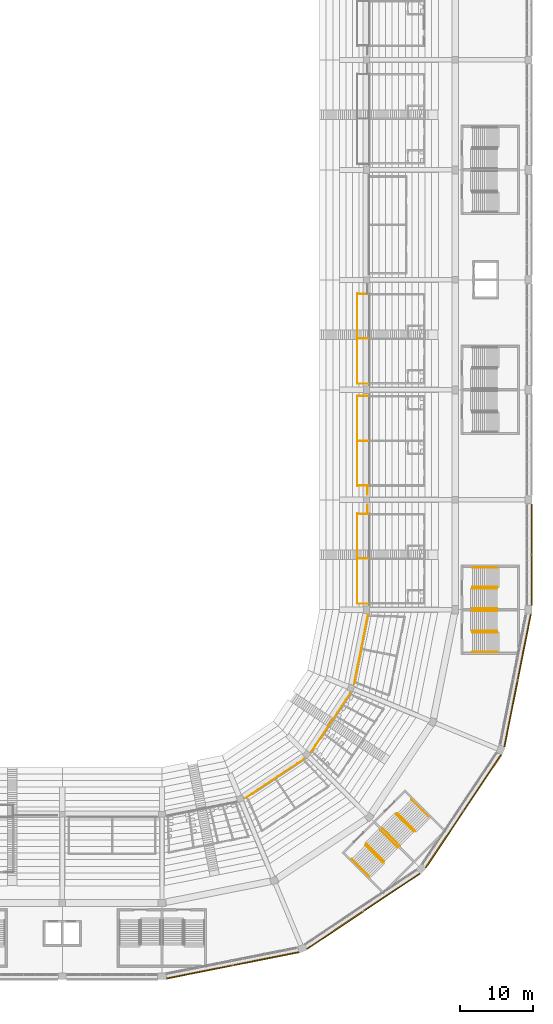
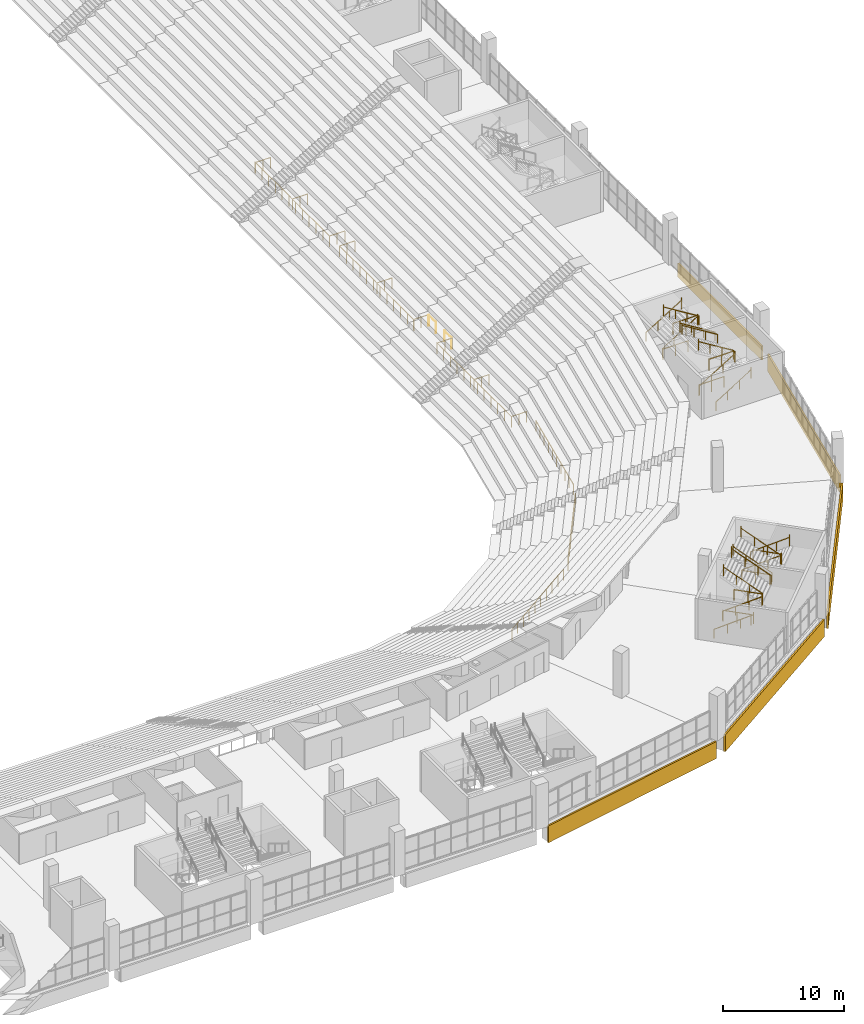
# One storey, part 237 of 249: 41 railings, 5 coverings.
"""IFC4 building model written with IfcOpenShell, lengths in metres."""

import ifcopenshell
import ifcopenshell.guid

model = None  # the IFC model being written
_history = None  # IfcOwnerHistory: only IFC2X3 demands one
_inside = {}  # id of a spatial element -> (the spatial element, [elements in it])
_under = {}  # id of a project, library or spatial element -> (it, [spatial elements below it])
_declared = {}  # id of a project -> (the project, [libraries it declares])
_typed = {}  # id of a type object -> (the type object, [elements of that type])
_made_of = {}  # id of a material, layer set ... -> (it, [elements and type objects made of it])


def new_model(schema):
    """Start an empty IFC model of exactly this schema.

    Asked for "IFC4X3", IfcOpenShell would pick the latest addendum, in which some entities
    have other attributes; the version numbers below select the first issue.
    IFC2X3 requires an IfcOwnerHistory on every rooted entity: one is made here for all.
    """
    global model, _history
    if schema == "IFC4X3":
        model = ifcopenshell.file(schema_version=(4, 3, 0, 0))
    else:
        model = ifcopenshell.file(schema=schema)
    _inside.clear()
    _under.clear()
    _declared.clear()
    _typed.clear()
    _made_of.clear()
    _history = None
    if model.schema == "IFC2X3":
        org = make("IfcOrganization", Name="unknown")
        user = make(
            "IfcPersonAndOrganization",
            ThePerson=make("IfcPerson", FamilyName="unknown"),
            TheOrganization=org,
        )
        app = make(
            "IfcApplication",
            ApplicationDeveloper=org,
            Version="unknown",
            ApplicationFullName="unknown",
            ApplicationIdentifier="unknown",
        )
        _history = make(
            "IfcOwnerHistory",
            OwningUser=user,
            OwningApplication=app,
            ChangeAction="ADDED",
            CreationDate=0,
        )
    return model


def make(cls, **values):
    """One entity of the class cls with the attributes given. An attribute that is None is left unset."""
    return model.create_entity(
        cls, **{name: value for name, value in values.items() if value is not None}
    )


def rooted(cls, **values):
    """An entity with a GlobalId (a new one), such as an element, a storey or a relation."""
    return make(cls, GlobalId=ifcopenshell.guid.new(), OwnerHistory=_history, **values)


def si_unit(unit_type, name, prefix=None):
    """IfcSIUnit, for example si_unit("LENGTHUNIT", "METRE", prefix="MILLI")."""
    return make("IfcSIUnit", UnitType=unit_type, Prefix=prefix, Name=name)


def assignment(units):
    """IfcUnitAssignment: the units of a project."""
    return None if units is None else make("IfcUnitAssignment", Units=units)


def point(xyz):
    """IfcCartesianPoint."""
    return None if xyz is None else make("IfcCartesianPoint", Coordinates=xyz)


def direction(xyz):
    """IfcDirection."""
    return None if xyz is None else make("IfcDirection", DirectionRatios=xyz)


def frame(location, z_axis=None, x_axis=None):
    """IfcAxis2Placement3D, a coordinate frame: its origin and axes. An axis left out is left unset."""
    return make(
        "IfcAxis2Placement3D",
        Location=point(location),
        Axis=direction(z_axis),
        RefDirection=direction(x_axis),
    )


def frame_2d(location, x_axis=None):
    """IfcAxis2Placement2D, a coordinate frame in the plane: its origin and x axis."""
    return make(
        "IfcAxis2Placement2D", Location=point(location), RefDirection=direction(x_axis)
    )


def origin():
    """The frame at (0, 0, 0) with its axes left unset."""
    return frame((0.0, 0.0, 0.0))


def origin_2d():
    """The frame at (0, 0) in the plane with its x axis left unset."""
    return frame_2d((0.0, 0.0))


def place(relative_to, where):
    """IfcLocalPlacement: puts the frame where relative to a parent placement (None: the world)."""
    return make(
        "IfcLocalPlacement", PlacementRelTo=relative_to, RelativePlacement=where
    )


def context(
    kind, dimensions, precision=None, world=None, true_north=None, identifier=None
):
    """IfcGeometricRepresentationContext, for example the 3D "Model" context."""
    return make(
        "IfcGeometricRepresentationContext",
        ContextIdentifier=identifier,
        ContextType=kind,
        CoordinateSpaceDimension=dimensions,
        Precision=precision,
        WorldCoordinateSystem=world,
        TrueNorth=true_north,
    )


def subcontext(parent, identifier, kind, view, scale=None):
    """IfcGeometricRepresentationSubContext, for example "Body" below "Model"."""
    return make(
        "IfcGeometricRepresentationSubContext",
        ContextIdentifier=identifier,
        ContextType=kind,
        ParentContext=parent,
        TargetScale=scale,
        TargetView=view,
    )


def project(units=None, contexts=None):
    """IfcProject with its units and contexts."""
    return rooted(
        "IfcProject",
        Name="project",
        RepresentationContexts=contexts,
        UnitsInContext=assignment(units),
    )


def spatial(cls, under=None, at=None, **own):
    """A site, building, storey or space (cls), placed at a placement, below another one or the project."""
    s = rooted(cls, ObjectPlacement=at, **own)
    if under is not None:
        _under.setdefault(under.id(), (under, []))[1].append(s)
    return s


def polyline(points):
    """IfcPolyline through the points."""
    return make("IfcPolyline", Points=[point(p) for p in points])


def profile(cls, at=None, kind="AREA", **sizes):
    """A parametric profile (cls). Its sizes go by their IFC names, for example OverallWidth=200.0."""
    return make(cls, ProfileType=kind, Position=at, **sizes)


def circle(**sizes):
    """IfcCircleProfileDef."""
    return profile("IfcCircleProfileDef", **sizes)


def outline(outer, holes=None, kind="AREA"):
    """IfcArbitraryClosedProfileDef: a profile drawn as a closed curve; with holes, ...WithVoids."""
    if holes is None:
        return make("IfcArbitraryClosedProfileDef", ProfileType=kind, OuterCurve=outer)
    return make(
        "IfcArbitraryProfileDefWithVoids",
        ProfileType=kind,
        OuterCurve=outer,
        InnerCurves=holes,
    )


def extrude(swept, where, along, depth):
    """IfcExtrudedAreaSolid: the profile swept, set in the frame where, extruded along a direction by depth."""
    return make(
        "IfcExtrudedAreaSolid",
        SweptArea=swept,
        Position=where,
        ExtrudedDirection=direction(along),
        Depth=depth,
    )


def shape(context_of_items, identifier, shape_type, items):
    """IfcShapeRepresentation: the items that make up one representation, for example the "Body"."""
    return make(
        "IfcShapeRepresentation",
        ContextOfItems=context_of_items,
        RepresentationIdentifier=identifier,
        RepresentationType=shape_type,
        Items=items,
    )


def material(Name=None, Category=None):
    """IfcMaterial."""
    return make("IfcMaterial", Name=Name, Category=Category)


def layer(
    of_material, thickness, ventilated=None, Name=None, Category=None, Priority=None
):
    """IfcMaterialLayer: one layer of a wall or slab, of a material (None: an air gap)."""
    return make(
        "IfcMaterialLayer",
        Material=of_material,
        LayerThickness=thickness,
        IsVentilated=ventilated,
        Name=Name,
        Category=Category,
        Priority=Priority,
    )


def layer_set(layers, Name=None):
    """IfcMaterialLayerSet."""
    return make("IfcMaterialLayerSet", MaterialLayers=layers, LayerSetName=Name)


def made_of(thing, what):
    """Note that an element or type object is made of a material, layer set ...; save() writes the relation."""
    if what is not None:
        _made_of.setdefault(what.id(), (what, []))[1].append(thing)
    return thing


def type_object(cls, material=None, **own):
    """A type object (cls), such as IfcWallType, which elements share."""
    return made_of(rooted(cls, **own), material)


def element(
    cls,
    number,
    at=None,
    inside=None,
    cuts=None,
    type_object=None,
    material=None,
    context=None,
    identifier="Body",
    shape_type=None,
    held_by="IfcProductDefinitionShape",
    body=None,
    shapes=None,
    **own,
):
    """One element of the class cls, such as IfcWall. Its Tag is "e" and its number.

    at: its placement. inside: the storey or other place that contains it. cuts: it is an
    opening in that element (IfcRelVoidsElement). A single representation is given by context,
    identifier, shape_type and body (its items); several are given by shapes. held_by: the class
    of the entity that holds the representations. save() writes the other relations.
    """
    e = rooted(cls, Tag="e%d" % number, ObjectPlacement=at, **own)
    if body is not None:
        shapes = [shape(context, identifier, shape_type, body)]
    if shapes is not None:
        e.Representation = make(held_by, Representations=shapes)
    if inside is not None:
        _inside.setdefault(inside.id(), (inside, []))[1].append(e)
    if cuts is not None:
        rooted(
            "IfcRelVoidsElement", RelatingBuildingElement=cuts, RelatedOpeningElement=e
        )
    if type_object is not None:
        _typed.setdefault(type_object.id(), (type_object, []))[1].append(e)
    return made_of(e, material)


def aggregate(whole, parts):
    """IfcRelAggregates: a whole, such as a stair, and the parts it consists of."""
    return rooted("IfcRelAggregates", RelatingObject=whole, RelatedObjects=parts)


def save(model, path):
    """Write the relations noted so far, then the file.

    IfcRelAggregates (storeys below a building ...), IfcRelContainedInSpatialStructure (elements
    in a storey), IfcRelDefinesByType, IfcRelAssociatesMaterial and IfcRelDeclares: one each for
    every whole, place, type object, material and project.
    """
    for whole, parts in _under.values():
        aggregate(whole, parts)
    for where, things in _inside.values():
        rooted(
            "IfcRelContainedInSpatialStructure",
            RelatedElements=things,
            RelatingStructure=where,
        )
    for kind, things in _typed.values():
        rooted("IfcRelDefinesByType", RelatedObjects=things, RelatingType=kind)
    for what, things in _made_of.values():
        rooted("IfcRelAssociatesMaterial", RelatedObjects=things, RelatingMaterial=what)
    for by, libraries in _declared.values():
        rooted("IfcRelDeclares", RelatingContext=by, RelatedDefinitions=libraries)
    model.write(path)


model = new_model("IFC4")

# Units and contexts
model_context = context("Model", 3, precision=1e-05, world=origin(), true_north=direction((0.0, 1.0)))
body_context = subcontext(model_context, "Body", "Model", "MODEL_VIEW")
ifc_project = project(units=[si_unit("LENGTHUNIT", "METRE"), si_unit("AREAUNIT", "SQUARE_METRE"), si_unit("VOLUMEUNIT", "CUBIC_METRE"), si_unit("PLANEANGLEUNIT", "RADIAN"), si_unit("MASSUNIT", "GRAM", prefix="KILO")], contexts=[model_context])

# Site, building, storey
site_placement = place(None, origin())
site = spatial("IfcSite", under=ifc_project, at=site_placement, CompositionType="ELEMENT")
building_placement = place(site_placement, origin())
building = spatial("IfcBuilding", under=site, at=building_placement, Name="Ogive Plaza Stadium", CompositionType="ELEMENT")
storey_placement = place(building_placement, frame((0.0, 0.0, 13.5)))
storey = spatial("IfcBuildingStorey", under=building, at=storey_placement, Name="L03", CompositionType="ELEMENT", Elevation=13.5)

# Railings
ifc_material_1 = material(Name="Steel ASTM A572 Grade 50", Category="steel")
railing_type_1 = type_object("IfcRailingType", Name="Guard 1100", PredefinedType="GUARDRAIL", material=ifc_material_1)
for number, where, name in (
    (1, (76.35009765625, -55.47509765625, 0.0), "Stair well guard ST08A L03"),
    (2, (77.31005859375, -55.47509765625, 2.25), "Stair well guard ST08A L03"),
    (3, (76.35009765625, -49.52490234375, 0.0), "Stair well guard ST08B L03"),
    (4, (77.31005859375, -49.52490234375, 2.25), "Stair well guard ST08B L03"),
):
    element("IfcRailing", number, at=place(storey_placement, frame(where)), inside=storey, type_object=railing_type_1, Name=name, PredefinedType="GUARDRAIL", context=body_context, shape_type="SweptSolid", body=[
        extrude(circle(Radius=0.02392578125, at=origin_2d()), frame((0.0, 0.0, 1.076171875), z_axis=(1.0, 0.0, 0.0), x_axis=(0.0, 1.0, 0.0)), (0.0, 0.0, 1.0), 2.39990234375),
        extrude(circle(Radius=0.02099609375, at=origin_2d()), origin(), (0.0, 0.0, 1.0), 1.052001953125),
        extrude(circle(Radius=0.02099609375, at=origin_2d()), frame((1.199951171875, 0.0, 0.0)), (0.0, 0.0, 1.0), 1.052001953125),
        extrude(circle(Radius=0.02099609375, at=origin_2d()), frame((2.39990234375, 0.0, 0.0)), (0.0, 0.0, 1.0), 1.052001953125),
    ])
for number, where, name in (
    (5, (61.84228515625, -84.549560546875, 0.0), "Stair well guard ST10A L03"),
    (6, (62.521240234375, -85.228515625, 2.25), "Stair well guard ST10A L03"),
    (7, (66.049560546875, -80.34228515625, 0.0), "Stair well guard ST10B L03"),
    (8, (66.728515625, -81.021240234375, 2.25), "Stair well guard ST10B L03"),
):
    element("IfcRailing", number, at=place(storey_placement, frame(where)), inside=storey, type_object=railing_type_1, Name=name, PredefinedType="GUARDRAIL", context=body_context, shape_type="SweptSolid", body=[
        extrude(circle(Radius=0.02392578125, at=origin_2d()), frame((0.0, 0.0, 1.076171875), z_axis=(0.707106781187, -0.707106781187, 0.0), x_axis=(0.707106781187, 0.707106781187, 0.0)), (0.0, 0.0, 1.0), 2.39990234375),
        extrude(circle(Radius=0.02099609375, at=origin_2d()), origin(), (0.0, 0.0, 1.0), 1.052001953125),
        extrude(circle(Radius=0.02099609375, at=origin_2d()), frame((0.8486328125, -0.8486328125, 0.0)), (0.0, 0.0, 1.0), 1.052001953125),
        extrude(circle(Radius=0.02099609375, at=origin_2d()), frame((1.697021484375, -1.697021484375, 0.0)), (0.0, 0.0, 1.0), 1.052001953125),
    ])
railing_1_placement = place(storey_placement, frame((62.113525390625, -53.1865234375, 0.0)))
element("IfcRailing", 9, at=railing_1_placement, inside=storey, type_object=railing_type_1, Name="Guard L03 B08", PredefinedType="GUARDRAIL", context=body_context, shape_type="SweptSolid", body=[
    extrude(circle(Radius=0.02392578125, at=origin_2d()), frame((0.0, 0.0, 1.076171875), z_axis=(-0.195106054289, -0.980782150928, 0.0), x_axis=(0.980782150928, -0.195106054289, 0.0)), (0.0, 0.0, 1.0), 9.62255859375),
    extrude(circle(Radius=0.02099609375, at=origin_2d()), origin(), (0.0, 0.0, 1.0), 1.052001953125),
    extrude(circle(Radius=0.02099609375, at=origin_2d()), frame((-0.20849609375, -1.048583984375, 0.0)), (0.0, 0.0, 1.0), 1.052001953125),
    extrude(circle(Radius=0.02099609375, at=origin_2d()), frame((-0.417236328125, -2.09716796875, 0.0)), (0.0, 0.0, 1.0), 1.052001953125),
    extrude(circle(Radius=0.02099609375, at=origin_2d()), frame((-0.625732421875, -3.14599609375, 0.0)), (0.0, 0.0, 1.0), 1.052001953125),
    extrude(circle(Radius=0.02099609375, at=origin_2d()), frame((-0.83447265625, -4.194580078125, 0.0)), (0.0, 0.0, 1.0), 1.052001953125),
    extrude(circle(Radius=0.02099609375, at=origin_2d()), frame((-1.04296875, -5.2431640625, 0.0)), (0.0, 0.0, 1.0), 1.052001953125),
    extrude(circle(Radius=0.02099609375, at=origin_2d()), frame((-1.251708984375, -6.291748046875, 0.0)), (0.0, 0.0, 1.0), 1.052001953125),
    extrude(circle(Radius=0.02099609375, at=origin_2d()), frame((-1.460205078125, -7.340576171875, 0.0)), (0.0, 0.0, 1.0), 1.052001953125),
    extrude(circle(Radius=0.02099609375, at=origin_2d()), frame((-1.6689453125, -8.38916015625, 0.0)), (0.0, 0.0, 1.0), 1.052001953125),
    extrude(circle(Radius=0.02099609375, at=origin_2d()), frame((-1.87744140625, -9.437744140625, 0.0)), (0.0, 0.0, 1.0), 1.052001953125),
])
railing_2_placement = place(storey_placement, frame((59.710693359375, -63.892822265625, 0.0)))
element("IfcRailing", 10, at=railing_2_placement, inside=storey, type_object=railing_type_1, Name="Guard L03 B09", PredefinedType="GUARDRAIL", context=body_context, shape_type="SweptSolid", body=[
    extrude(circle(Radius=0.02392578125, at=origin_2d()), frame((0.0, 0.0, 1.076171875), z_axis=(-0.555560580114, -0.831476062087, 0.0), x_axis=(0.831476062087, -0.555560580114, 0.0)), (0.0, 0.0, 1.0), 9.62255859375),
    extrude(circle(Radius=0.02099609375, at=origin_2d()), origin(), (0.0, 0.0, 1.0), 1.052001953125),
    extrude(circle(Radius=0.02099609375, at=origin_2d()), frame((-0.593994140625, -0.888916015625, 0.0)), (0.0, 0.0, 1.0), 1.052001953125),
    extrude(circle(Radius=0.02099609375, at=origin_2d()), frame((-1.18798828125, -1.778076171875, 0.0)), (0.0, 0.0, 1.0), 1.052001953125),
    extrude(circle(Radius=0.02099609375, at=origin_2d()), frame((-1.781982421875, -2.6669921875, 0.0)), (0.0, 0.0, 1.0), 1.052001953125),
    extrude(circle(Radius=0.02099609375, at=origin_2d()), frame((-2.3759765625, -3.555908203125, 0.0)), (0.0, 0.0, 1.0), 1.052001953125),
    extrude(circle(Radius=0.02099609375, at=origin_2d()), frame((-2.969970703125, -4.445068359375, 0.0)), (0.0, 0.0, 1.0), 1.052001953125),
    extrude(circle(Radius=0.02099609375, at=origin_2d()), frame((-3.56396484375, -5.333984375, 0.0)), (0.0, 0.0, 1.0), 1.052001953125),
    extrude(circle(Radius=0.02099609375, at=origin_2d()), frame((-4.157958984375, -6.222900390625, 0.0)), (0.0, 0.0, 1.0), 1.052001953125),
    extrude(circle(Radius=0.02099609375, at=origin_2d()), frame((-4.751953125, -7.112060546875, 0.0)), (0.0, 0.0, 1.0), 1.052001953125),
    extrude(circle(Radius=0.02099609375, at=origin_2d()), frame((-5.345947265625, -8.0009765625, 0.0)), (0.0, 0.0, 1.0), 1.052001953125),
])
railing_3_placement = place(storey_placement, frame((53.393798828125, -72.86474609375, 0.0)))
element("IfcRailing", 11, at=railing_3_placement, inside=storey, type_object=railing_type_1, Name="Guard L03 B10", PredefinedType="GUARDRAIL", context=body_context, shape_type="SweptSolid", body=[
    extrude(circle(Radius=0.02392578125, at=origin_2d()), frame((0.0, 0.0, 1.076171875), z_axis=(-0.831476062087, -0.555560580114, 0.0), x_axis=(0.555560580114, -0.831476062087, 0.0)), (0.0, 0.0, 1.0), 9.62255859375),
    extrude(circle(Radius=0.02099609375, at=origin_2d()), origin(), (0.0, 0.0, 1.0), 1.052001953125),
    extrude(circle(Radius=0.02099609375, at=origin_2d()), frame((-0.888916015625, -0.593994140625, 0.0)), (0.0, 0.0, 1.0), 1.052001953125),
    extrude(circle(Radius=0.02099609375, at=origin_2d()), frame((-1.778076171875, -1.18798828125, 0.0)), (0.0, 0.0, 1.0), 1.052001953125),
    extrude(circle(Radius=0.02099609375, at=origin_2d()), frame((-2.6669921875, -1.781982421875, 0.0)), (0.0, 0.0, 1.0), 1.052001953125),
    extrude(circle(Radius=0.02099609375, at=origin_2d()), frame((-3.555908203125, -2.3759765625, 0.0)), (0.0, 0.0, 1.0), 1.052001953125),
    extrude(circle(Radius=0.02099609375, at=origin_2d()), frame((-4.445068359375, -2.969970703125, 0.0)), (0.0, 0.0, 1.0), 1.052001953125),
    extrude(circle(Radius=0.02099609375, at=origin_2d()), frame((-5.333984375, -3.56396484375, 0.0)), (0.0, 0.0, 1.0), 1.052001953125),
    extrude(circle(Radius=0.02099609375, at=origin_2d()), frame((-6.222900390625, -4.157958984375, 0.0)), (0.0, 0.0, 1.0), 1.052001953125),
    extrude(circle(Radius=0.02099609375, at=origin_2d()), frame((-7.112060546875, -4.751953125, 0.0)), (0.0, 0.0, 1.0), 1.052001953125),
    extrude(circle(Radius=0.02099609375, at=origin_2d()), frame((-8.0009765625, -5.345947265625, 0.0)), (0.0, 0.0, 1.0), 1.052001953125),
])
railing_4_placement = place(storey_placement, frame((60.64990234375, -21.675048828125, 0.0)))
element("IfcRailing", 12, at=railing_4_placement, inside=storey, type_object=railing_type_1, Name="Terrace guard B05", PredefinedType="GUARDRAIL", context=body_context, shape_type="SweptSolid", body=[
    extrude(circle(Radius=0.02392578125, at=origin_2d()), frame((0.0, 0.0, 1.076171875), z_axis=(0.0, 1.0, 0.0), x_axis=(-1.0, 0.0, 0.0)), (0.0, 0.0, 1.0), 12.300048828125),
    extrude(circle(Radius=0.02099609375, at=origin_2d()), origin(), (0.0, 0.0, 1.0), 1.052001953125),
    extrude(circle(Radius=0.02099609375, at=origin_2d()), frame((0.0, 1.1181640625, 0.0)), (0.0, 0.0, 1.0), 1.052001953125),
    extrude(circle(Radius=0.02099609375, at=origin_2d()), frame((0.0, 2.236328125, 0.0)), (0.0, 0.0, 1.0), 1.052001953125),
    extrude(circle(Radius=0.02099609375, at=origin_2d()), frame((0.0, 3.3544921875, 0.0)), (0.0, 0.0, 1.0), 1.052001953125),
    extrude(circle(Radius=0.02099609375, at=origin_2d()), frame((0.0, 4.47265625, 0.0)), (0.0, 0.0, 1.0), 1.052001953125),
    extrude(circle(Radius=0.02099609375, at=origin_2d()), frame((0.0, 5.5908203125, 0.0)), (0.0, 0.0, 1.0), 1.052001953125),
    extrude(circle(Radius=0.02099609375, at=origin_2d()), frame((0.0, 6.709228515625, 0.0)), (0.0, 0.0, 1.0), 1.052001953125),
    extrude(circle(Radius=0.02099609375, at=origin_2d()), frame((0.0, 7.827392578125, 0.0)), (0.0, 0.0, 1.0), 1.052001953125),
    extrude(circle(Radius=0.02099609375, at=origin_2d()), frame((0.0, 8.945556640625, 0.0)), (0.0, 0.0, 1.0), 1.052001953125),
    extrude(circle(Radius=0.02099609375, at=origin_2d()), frame((0.0, 10.063720703125, 0.0)), (0.0, 0.0, 1.0), 1.052001953125),
    extrude(circle(Radius=0.02099609375, at=origin_2d()), frame((0.0, 11.181884765625, 0.0)), (0.0, 0.0, 1.0), 1.052001953125),
    extrude(circle(Radius=0.02099609375, at=origin_2d()), frame((0.0, 12.300048828125, 0.0)), (0.0, 0.0, 1.0), 1.052001953125),
])
for number, where, name in (
    (13, (60.64990234375, -21.675048828125, 0.0), "Terrace screen B05"),
    (14, (60.64990234375, -15.52490234375, 0.0), "Terrace screen B05"),
    (15, (60.64990234375, -9.449951171875, 0.0), "Terrace screen B05"),
):
    element("IfcRailing", number, at=place(storey_placement, frame(where)), inside=storey, type_object=railing_type_1, Name=name, PredefinedType="GUARDRAIL", context=body_context, shape_type="SweptSolid", body=[
        extrude(circle(Radius=0.02392578125, at=origin_2d()), frame((0.0, 0.0, 1.076171875), z_axis=(1.0, 0.0, 0.0), x_axis=(0.0, 1.0, 0.0)), (0.0, 0.0, 1.0), 1.4501953125),
        extrude(circle(Radius=0.02099609375, at=origin_2d()), origin(), (0.0, 0.0, 1.0), 1.052001953125),
        extrude(circle(Radius=0.02099609375, at=origin_2d()), frame((0.72509765625, 0.0, 0.0)), (0.0, 0.0, 1.0), 1.052001953125),
        extrude(circle(Radius=0.02099609375, at=origin_2d()), frame((1.4501953125, 0.0, 0.0)), (0.0, 0.0, 1.0), 1.052001953125),
    ])
railing_5_placement = place(storey_placement, frame((60.64990234375, -23.324951171875, 0.0)))
element("IfcRailing", 16, at=railing_5_placement, inside=storey, type_object=railing_type_1, Name="Terrace guard B06", PredefinedType="GUARDRAIL", context=body_context, shape_type="SweptSolid", body=[
    extrude(circle(Radius=0.02392578125, at=origin_2d()), frame((0.0, 0.0, 1.076171875), z_axis=(0.0, -1.0, 0.0), x_axis=(1.0, 0.0, 0.0)), (0.0, 0.0, 1.0), 12.300048828125),
    extrude(circle(Radius=0.02099609375, at=origin_2d()), origin(), (0.0, 0.0, 1.0), 1.052001953125),
    extrude(circle(Radius=0.02099609375, at=origin_2d()), frame((0.0, -1.1181640625, 0.0)), (0.0, 0.0, 1.0), 1.052001953125),
    extrude(circle(Radius=0.02099609375, at=origin_2d()), frame((0.0, -2.236328125, 0.0)), (0.0, 0.0, 1.0), 1.052001953125),
    extrude(circle(Radius=0.02099609375, at=origin_2d()), frame((0.0, -3.3544921875, 0.0)), (0.0, 0.0, 1.0), 1.052001953125),
    extrude(circle(Radius=0.02099609375, at=origin_2d()), frame((0.0, -4.47265625, 0.0)), (0.0, 0.0, 1.0), 1.052001953125),
    extrude(circle(Radius=0.02099609375, at=origin_2d()), frame((0.0, -5.5908203125, 0.0)), (0.0, 0.0, 1.0), 1.052001953125),
    extrude(circle(Radius=0.02099609375, at=origin_2d()), frame((0.0, -6.709228515625, 0.0)), (0.0, 0.0, 1.0), 1.052001953125),
    extrude(circle(Radius=0.02099609375, at=origin_2d()), frame((0.0, -7.827392578125, 0.0)), (0.0, 0.0, 1.0), 1.052001953125),
    extrude(circle(Radius=0.02099609375, at=origin_2d()), frame((0.0, -8.945556640625, 0.0)), (0.0, 0.0, 1.0), 1.052001953125),
    extrude(circle(Radius=0.02099609375, at=origin_2d()), frame((0.0, -10.063720703125, 0.0)), (0.0, 0.0, 1.0), 1.052001953125),
    extrude(circle(Radius=0.02099609375, at=origin_2d()), frame((0.0, -11.181884765625, 0.0)), (0.0, 0.0, 1.0), 1.052001953125),
    extrude(circle(Radius=0.02099609375, at=origin_2d()), frame((0.0, -12.300048828125, 0.0)), (0.0, 0.0, 1.0), 1.052001953125),
])
railing_6_placement = place(storey_placement, frame((62.050048828125, -35.625, 0.0)))
element("IfcRailing", 17, at=railing_6_placement, inside=storey, type_object=railing_type_1, Name="Floor edge guard B06", PredefinedType="GUARDRAIL", context=body_context, shape_type="SweptSolid", body=[
    extrude(circle(Radius=0.02392578125, at=origin_2d()), frame((0.0, 0.0, 1.076171875), z_axis=(0.0, -1.0, 0.0), x_axis=(1.0, 0.0, 0.0)), (0.0, 0.0, 1.0), 1.175048828125),
    extrude(circle(Radius=0.02099609375, at=origin_2d()), origin(), (0.0, 0.0, 1.0), 1.052001953125),
    extrude(circle(Radius=0.02099609375, at=origin_2d()), frame((0.0, -1.175048828125, 0.0)), (0.0, 0.0, 1.0), 1.052001953125),
])
for number, where, name in (
    (18, (60.64990234375, -23.324951171875, 0.0), "Terrace screen B06"),
    (19, (60.64990234375, -29.47509765625, 0.0), "Terrace screen B06"),
    (20, (60.64990234375, -35.550048828125, 0.0), "Terrace screen B06"),
):
    element("IfcRailing", number, at=place(storey_placement, frame(where)), inside=storey, type_object=railing_type_1, Name=name, PredefinedType="GUARDRAIL", context=body_context, shape_type="SweptSolid", body=[
        extrude(circle(Radius=0.02392578125, at=origin_2d()), frame((0.0, 0.0, 1.076171875), z_axis=(1.0, 0.0, 0.0), x_axis=(0.0, 1.0, 0.0)), (0.0, 0.0, 1.0), 1.4501953125),
        extrude(circle(Radius=0.02099609375, at=origin_2d()), origin(), (0.0, 0.0, 1.0), 1.052001953125),
        extrude(circle(Radius=0.02099609375, at=origin_2d()), frame((0.72509765625, 0.0, 0.0)), (0.0, 0.0, 1.0), 1.052001953125),
        extrude(circle(Radius=0.02099609375, at=origin_2d()), frame((1.4501953125, 0.0, 0.0)), (0.0, 0.0, 1.0), 1.052001953125),
    ])
railing_7_placement = place(storey_placement, frame((60.64990234375, -51.675048828125, 0.0)))
element("IfcRailing", 21, at=railing_7_placement, inside=storey, type_object=railing_type_1, Name="Terrace guard B07", PredefinedType="GUARDRAIL", context=body_context, shape_type="SweptSolid", body=[
    extrude(circle(Radius=0.02392578125, at=origin_2d()), frame((0.0, 0.0, 1.076171875), z_axis=(0.0, 1.0, 0.0), x_axis=(-1.0, 0.0, 0.0)), (0.0, 0.0, 1.0), 12.300048828125),
    extrude(circle(Radius=0.02099609375, at=origin_2d()), origin(), (0.0, 0.0, 1.0), 1.052001953125),
    extrude(circle(Radius=0.02099609375, at=origin_2d()), frame((0.0, 1.1181640625, 0.0)), (0.0, 0.0, 1.0), 1.052001953125),
    extrude(circle(Radius=0.02099609375, at=origin_2d()), frame((0.0, 2.236328125, 0.0)), (0.0, 0.0, 1.0), 1.052001953125),
    extrude(circle(Radius=0.02099609375, at=origin_2d()), frame((0.0, 3.3544921875, 0.0)), (0.0, 0.0, 1.0), 1.052001953125),
    extrude(circle(Radius=0.02099609375, at=origin_2d()), frame((0.0, 4.47265625, 0.0)), (0.0, 0.0, 1.0), 1.052001953125),
    extrude(circle(Radius=0.02099609375, at=origin_2d()), frame((0.0, 5.5908203125, 0.0)), (0.0, 0.0, 1.0), 1.052001953125),
    extrude(circle(Radius=0.02099609375, at=origin_2d()), frame((0.0, 6.709228515625, 0.0)), (0.0, 0.0, 1.0), 1.052001953125),
    extrude(circle(Radius=0.02099609375, at=origin_2d()), frame((0.0, 7.827392578125, 0.0)), (0.0, 0.0, 1.0), 1.052001953125),
    extrude(circle(Radius=0.02099609375, at=origin_2d()), frame((0.0, 8.945556640625, 0.0)), (0.0, 0.0, 1.0), 1.052001953125),
    extrude(circle(Radius=0.02099609375, at=origin_2d()), frame((0.0, 10.063720703125, 0.0)), (0.0, 0.0, 1.0), 1.052001953125),
    extrude(circle(Radius=0.02099609375, at=origin_2d()), frame((0.0, 11.181884765625, 0.0)), (0.0, 0.0, 1.0), 1.052001953125),
    extrude(circle(Radius=0.02099609375, at=origin_2d()), frame((0.0, 12.300048828125, 0.0)), (0.0, 0.0, 1.0), 1.052001953125),
])
railing_8_placement = place(storey_placement, frame((62.050048828125, -39.375, 0.0)))
element("IfcRailing", 22, at=railing_8_placement, inside=storey, type_object=railing_type_1, Name="Floor edge guard B07", PredefinedType="GUARDRAIL", context=body_context, shape_type="SweptSolid", body=[
    extrude(circle(Radius=0.02392578125, at=origin_2d()), frame((0.0, 0.0, 1.076171875), z_axis=(0.0, 1.0, 0.0), x_axis=(-1.0, 0.0, 0.0)), (0.0, 0.0, 1.0), 1.175048828125),
    extrude(circle(Radius=0.02099609375, at=origin_2d()), origin(), (0.0, 0.0, 1.0), 1.052001953125),
    extrude(circle(Radius=0.02099609375, at=origin_2d()), frame((0.0, 1.175048828125, 0.0)), (0.0, 0.0, 1.0), 1.052001953125),
])
for number, where, name in (
    (23, (60.64990234375, -51.675048828125, 0.0), "Terrace screen B07"),
    (24, (60.64990234375, -45.52490234375, 0.0), "Terrace screen B07"),
    (25, (60.64990234375, -39.449951171875, 0.0), "Terrace screen B07"),
):
    element("IfcRailing", number, at=place(storey_placement, frame(where)), inside=storey, type_object=railing_type_1, Name=name, PredefinedType="GUARDRAIL", context=body_context, shape_type="SweptSolid", body=[
        extrude(circle(Radius=0.02392578125, at=origin_2d()), frame((0.0, 0.0, 1.076171875), z_axis=(1.0, 0.0, 0.0), x_axis=(0.0, 1.0, 0.0)), (0.0, 0.0, 1.0), 1.4501953125),
        extrude(circle(Radius=0.02099609375, at=origin_2d()), origin(), (0.0, 0.0, 1.0), 1.052001953125),
        extrude(circle(Radius=0.02099609375, at=origin_2d()), frame((0.72509765625, 0.0, 0.0)), (0.0, 0.0, 1.0), 1.052001953125),
        extrude(circle(Radius=0.02099609375, at=origin_2d()), frame((1.4501953125, 0.0, 0.0)), (0.0, 0.0, 1.0), 1.052001953125),
    ])
ifc_material_2 = material(Name="Steel ASTM A572 Grade 50", Category="steel")
railing_type_2 = type_object("IfcRailingType", Name="Handrail 900", PredefinedType="HANDRAIL", material=ifc_material_2)
for number, where, name in (
    (26, (76.35009765625, -58.264892578125, 0.173095703125), "Handrail ST08A L03"),
    (27, (76.35009765625, -55.5849609375, 0.173095703125), "Handrail ST08A L03"),
):
    element("IfcRailing", number, at=place(storey_placement, frame(where)), inside=storey, type_object=railing_type_2, Name=name, PredefinedType="HANDRAIL", context=body_context, shape_type="SweptSolid", body=[
        extrude(circle(Radius=0.02392578125, at=origin_2d()), frame((0.0, 0.0, 0.8759765625), z_axis=(0.850606129759, 0.0, 0.525803396734), x_axis=(0.0, 1.0, 0.0)), (0.0, 0.0, 1.0), 3.949951171875),
        extrude(circle(Radius=0.02099609375, at=origin_2d()), origin(), (0.0, 0.0, 1.0), 0.851806640625),
        extrude(circle(Radius=0.02099609375, at=origin_2d()), frame((1.119873046875, 0.0, 0.6923828125)), (0.0, 0.0, 1.0), 0.851806640625),
        extrude(circle(Radius=0.02099609375, at=origin_2d()), frame((2.239990234375, 0.0, 1.384521484375)), (0.0, 0.0, 1.0), 0.851806640625),
        extrude(circle(Radius=0.02099609375, at=origin_2d()), frame((3.35986328125, 0.0, 2.076904296875)), (0.0, 0.0, 1.0), 1.10009765625),
    ])
for number, where, name in (
    (28, (79.7099609375, -55.364990234375, 2.423095703125), "Handrail ST08A L03"),
    (29, (79.7099609375, -52.68505859375, 2.423095703125), "Handrail ST08A L03"),
):
    element("IfcRailing", number, at=place(storey_placement, frame(where)), inside=storey, type_object=railing_type_2, Name=name, PredefinedType="HANDRAIL", context=body_context, shape_type="SweptSolid", body=[
        extrude(circle(Radius=0.02392578125, at=origin_2d()), frame((0.0, 0.0, 0.8759765625), z_axis=(-0.850606129759, 0.0, 0.525803396734), x_axis=(0.0, -1.0, 0.0)), (0.0, 0.0, 1.0), 3.949951171875),
        extrude(circle(Radius=0.02099609375, at=origin_2d()), origin(), (0.0, 0.0, 1.0), 0.851806640625),
        extrude(circle(Radius=0.02099609375, at=origin_2d()), frame((-1.119873046875, 0.0, 0.6923828125)), (0.0, 0.0, 1.0), 0.851806640625),
        extrude(circle(Radius=0.02099609375, at=origin_2d()), frame((-2.239990234375, 0.0, 1.384521484375)), (0.0, 0.0, 1.0), 0.851806640625),
        extrude(circle(Radius=0.02099609375, at=origin_2d()), frame((-3.35986328125, 0.0, 2.076904296875)), (0.0, 0.0, 1.0), 1.10009765625),
    ])
for number, where, name in (
    (30, (76.35009765625, -49.4150390625, 0.173095703125), "Handrail ST08B L03"),
    (31, (76.35009765625, -46.735107421875, 0.173095703125), "Handrail ST08B L03"),
):
    element("IfcRailing", number, at=place(storey_placement, frame(where)), inside=storey, type_object=railing_type_2, Name=name, PredefinedType="HANDRAIL", context=body_context, shape_type="SweptSolid", body=[
        extrude(circle(Radius=0.02392578125, at=origin_2d()), frame((0.0, 0.0, 0.8759765625), z_axis=(0.850606129759, 0.0, 0.525803396734), x_axis=(0.0, 1.0, 0.0)), (0.0, 0.0, 1.0), 3.949951171875),
        extrude(circle(Radius=0.02099609375, at=origin_2d()), origin(), (0.0, 0.0, 1.0), 0.851806640625),
        extrude(circle(Radius=0.02099609375, at=origin_2d()), frame((1.119873046875, 0.0, 0.6923828125)), (0.0, 0.0, 1.0), 0.851806640625),
        extrude(circle(Radius=0.02099609375, at=origin_2d()), frame((2.239990234375, 0.0, 1.384521484375)), (0.0, 0.0, 1.0), 0.851806640625),
        extrude(circle(Radius=0.02099609375, at=origin_2d()), frame((3.35986328125, 0.0, 2.076904296875)), (0.0, 0.0, 1.0), 1.10009765625),
    ])
for number, where, name in (
    (32, (79.7099609375, -52.31494140625, 2.423095703125), "Handrail ST08B L03"),
    (33, (79.7099609375, -49.635009765625, 2.423095703125), "Handrail ST08B L03"),
):
    element("IfcRailing", number, at=place(storey_placement, frame(where)), inside=storey, type_object=railing_type_2, Name=name, PredefinedType="HANDRAIL", context=body_context, shape_type="SweptSolid", body=[
        extrude(circle(Radius=0.02392578125, at=origin_2d()), frame((0.0, 0.0, 0.8759765625), z_axis=(-0.850606129759, 0.0, 0.525803396734), x_axis=(0.0, -1.0, 0.0)), (0.0, 0.0, 1.0), 3.949951171875),
        extrude(circle(Radius=0.02099609375, at=origin_2d()), origin(), (0.0, 0.0, 1.0), 0.851806640625),
        extrude(circle(Radius=0.02099609375, at=origin_2d()), frame((-1.119873046875, 0.0, 0.6923828125)), (0.0, 0.0, 1.0), 0.851806640625),
        extrude(circle(Radius=0.02099609375, at=origin_2d()), frame((-2.239990234375, 0.0, 1.384521484375)), (0.0, 0.0, 1.0), 0.851806640625),
        extrude(circle(Radius=0.02099609375, at=origin_2d()), frame((-3.35986328125, 0.0, 2.076904296875)), (0.0, 0.0, 1.0), 1.10009765625),
    ])
railing_9_placement = place(storey_placement, frame((59.869384765625, -86.5224609375, 0.173095703125)))
element("IfcRailing", 34, at=railing_9_placement, inside=storey, type_object=railing_type_2, Name="Handrail ST10A L03", PredefinedType="HANDRAIL", context=body_context, shape_type="SweptSolid", body=[
    extrude(circle(Radius=0.02392578125, at=origin_2d()), frame((0.0, 0.0, 0.8759765625), z_axis=(0.601482971545, -0.601482971545, 0.525772260474), x_axis=(0.707106781187, 0.707106781187, 0.0)), (0.0, 0.0, 1.0), 3.9501953125),
    extrude(circle(Radius=0.02099609375, at=origin_2d()), origin(), (0.0, 0.0, 1.0), 0.851806640625),
    extrude(circle(Radius=0.02099609375, at=origin_2d()), frame((0.7919921875, -0.7919921875, 0.6923828125)), (0.0, 0.0, 1.0), 0.851806640625),
    extrude(circle(Radius=0.02099609375, at=origin_2d()), frame((1.583984375, -1.583984375, 1.384521484375)), (0.0, 0.0, 1.0), 0.851806640625),
    extrude(circle(Radius=0.02099609375, at=origin_2d()), frame((2.3759765625, -2.3759765625, 2.076904296875)), (0.0, 0.0, 1.0), 1.10009765625),
])
railing_10_placement = place(storey_placement, frame((61.7646484375, -84.62744140625, 0.173095703125)))
element("IfcRailing", 35, at=railing_10_placement, inside=storey, type_object=railing_type_2, Name="Handrail ST10A L03", PredefinedType="HANDRAIL", context=body_context, shape_type="SweptSolid", body=[
    extrude(circle(Radius=0.02392578125, at=origin_2d()), frame((0.0, 0.0, 0.8759765625), z_axis=(0.601465884576, -0.601465884576, 0.525811353416), x_axis=(0.707106781187, 0.707106781187, 0.0)), (0.0, 0.0, 1.0), 3.949951171875),
    extrude(circle(Radius=0.02099609375, at=origin_2d()), origin(), (0.0, 0.0, 1.0), 0.851806640625),
    extrude(circle(Radius=0.02099609375, at=origin_2d()), frame((0.7919921875, -0.7919921875, 0.6923828125)), (0.0, 0.0, 1.0), 0.851806640625),
    extrude(circle(Radius=0.02099609375, at=origin_2d()), frame((1.583740234375, -1.583740234375, 1.384521484375)), (0.0, 0.0, 1.0), 0.851806640625),
    extrude(circle(Radius=0.02099609375, at=origin_2d()), frame((2.375732421875, -2.375732421875, 2.076904296875)), (0.0, 0.0, 1.0), 1.10009765625),
])
for number, where, name in (
    (36, (64.2958984375, -86.84765625, 2.423095703125), "Handrail ST10A L03"),
    (37, (66.19091796875, -84.95263671875, 2.423095703125), "Handrail ST10A L03"),
):
    element("IfcRailing", number, at=place(storey_placement, frame(where)), inside=storey, type_object=railing_type_2, Name=name, PredefinedType="HANDRAIL", context=body_context, shape_type="SweptSolid", body=[
        extrude(circle(Radius=0.02392578125, at=origin_2d()), frame((0.0, 0.0, 0.8759765625), z_axis=(-0.601465884576, 0.601465884576, 0.525811353416), x_axis=(-0.707106781187, -0.707106781187, 0.0)), (0.0, 0.0, 1.0), 3.949951171875),
        extrude(circle(Radius=0.02099609375, at=origin_2d()), origin(), (0.0, 0.0, 1.0), 0.851806640625),
        extrude(circle(Radius=0.02099609375, at=origin_2d()), frame((-0.7919921875, 0.7919921875, 0.6923828125)), (0.0, 0.0, 1.0), 0.851806640625),
        extrude(circle(Radius=0.02099609375, at=origin_2d()), frame((-1.583740234375, 1.583740234375, 1.384521484375)), (0.0, 0.0, 1.0), 0.851806640625),
        extrude(circle(Radius=0.02099609375, at=origin_2d()), frame((-2.375732421875, 2.375732421875, 2.076904296875)), (0.0, 0.0, 1.0), 1.10009765625),
    ])
railing_11_placement = place(storey_placement, frame((66.12744140625, -80.2646484375, 0.173095703125)))
element("IfcRailing", 38, at=railing_11_placement, inside=storey, type_object=railing_type_2, Name="Handrail ST10B L03", PredefinedType="HANDRAIL", context=body_context, shape_type="SweptSolid", body=[
    extrude(circle(Radius=0.02392578125, at=origin_2d()), frame((0.0, 0.0, 0.8759765625), z_axis=(0.601465884576, -0.601465884576, 0.525811353416), x_axis=(0.707106781187, 0.707106781187, 0.0)), (0.0, 0.0, 1.0), 3.949951171875),
    extrude(circle(Radius=0.02099609375, at=origin_2d()), origin(), (0.0, 0.0, 1.0), 0.851806640625),
    extrude(circle(Radius=0.02099609375, at=origin_2d()), frame((0.7919921875, -0.7919921875, 0.6923828125)), (0.0, 0.0, 1.0), 0.851806640625),
    extrude(circle(Radius=0.02099609375, at=origin_2d()), frame((1.583740234375, -1.583740234375, 1.384521484375)), (0.0, 0.0, 1.0), 0.851806640625),
    extrude(circle(Radius=0.02099609375, at=origin_2d()), frame((2.375732421875, -2.375732421875, 2.076904296875)), (0.0, 0.0, 1.0), 1.10009765625),
])
railing_12_placement = place(storey_placement, frame((68.0224609375, -78.369384765625, 0.173095703125)))
element("IfcRailing", 39, at=railing_12_placement, inside=storey, type_object=railing_type_2, Name="Handrail ST10B L03", PredefinedType="HANDRAIL", context=body_context, shape_type="SweptSolid", body=[
    extrude(circle(Radius=0.02392578125, at=origin_2d()), frame((0.0, 0.0, 0.8759765625), z_axis=(0.601482971545, -0.601482971545, 0.525772260474), x_axis=(0.707106781187, 0.707106781187, 0.0)), (0.0, 0.0, 1.0), 3.9501953125),
    extrude(circle(Radius=0.02099609375, at=origin_2d()), origin(), (0.0, 0.0, 1.0), 0.851806640625),
    extrude(circle(Radius=0.02099609375, at=origin_2d()), frame((0.7919921875, -0.7919921875, 0.6923828125)), (0.0, 0.0, 1.0), 0.851806640625),
    extrude(circle(Radius=0.02099609375, at=origin_2d()), frame((1.583984375, -1.583984375, 1.384521484375)), (0.0, 0.0, 1.0), 0.851806640625),
    extrude(circle(Radius=0.02099609375, at=origin_2d()), frame((2.3759765625, -2.3759765625, 2.076904296875)), (0.0, 0.0, 1.0), 1.10009765625),
])
for number, where, name in (
    (40, (66.45263671875, -84.69091796875, 2.423095703125), "Handrail ST10B L03"),
    (41, (68.34765625, -82.7958984375, 2.423095703125), "Handrail ST10B L03"),
):
    element("IfcRailing", number, at=place(storey_placement, frame(where)), inside=storey, type_object=railing_type_2, Name=name, PredefinedType="HANDRAIL", context=body_context, shape_type="SweptSolid", body=[
        extrude(circle(Radius=0.02392578125, at=origin_2d()), frame((0.0, 0.0, 0.8759765625), z_axis=(-0.601465884576, 0.601465884576, 0.525811353416), x_axis=(-0.707106781187, -0.707106781187, 0.0)), (0.0, 0.0, 1.0), 3.949951171875),
        extrude(circle(Radius=0.02099609375, at=origin_2d()), origin(), (0.0, 0.0, 1.0), 0.851806640625),
        extrude(circle(Radius=0.02099609375, at=origin_2d()), frame((-0.7919921875, 0.7919921875, 0.6923828125)), (0.0, 0.0, 1.0), 0.851806640625),
        extrude(circle(Radius=0.02099609375, at=origin_2d()), frame((-1.583740234375, 1.583740234375, 1.384521484375)), (0.0, 0.0, 1.0), 0.851806640625),
        extrude(circle(Radius=0.02099609375, at=origin_2d()), frame((-2.375732421875, 2.375732421875, 2.076904296875)), (0.0, 0.0, 1.0), 1.10009765625),
    ])

# Coverings
ifc_material_3 = material(Name="Cast stone (reconstituted limestone)", Category="masonry")
ifc_layer = layer(ifc_material_3, 0.159912109375)
ifc_layer_set = layer_set([ifc_layer], Name="Precast spandrel cladding 160")
covering_type = type_object("IfcCoveringType", Name="Precast spandrel cladding 160", PredefinedType="CLADDING", material=ifc_layer_set)
covering_1_placement = place(storey_placement, frame((0.0, 0.0, -1.409912109375)))
element("IfcCovering", 42, at=covering_1_placement, inside=storey, type_object=covering_type, Name="SPANDREL CLADDING B07 L03", PredefinedType="CLADDING", context=body_context, shape_type="SweptSolid", body=[
    extrude(outline(polyline([(84.35009765625, -38.10009765625), (84.35009765625, -51.89990234375), (84.510009765625, -51.89990234375), (84.510009765625, -38.10009765625), (84.35009765625, -38.10009765625)])), origin(), (0.0, 0.0, 1.0), 1.409912109375),
])
covering_2_placement = place(storey_placement, frame((0.0, 0.0, -1.7099609375)))
element("IfcCovering", 43, at=covering_2_placement, inside=storey, type_object=covering_type, Name="SPANDREL CLADDING B08 L03", PredefinedType="CLADDING", context=body_context, shape_type="SweptSolid", body=[
    extrude(outline(polyline([(84.237548828125, -53.10009765625), (80.64306640625, -71.170654296875), (80.800048828125, -71.201904296875), (84.39453125, -53.131103515625), (84.237548828125, -53.10009765625)])), origin(), (0.0, 0.0, 1.0), 1.7099609375),
])
covering_3_placement = place(storey_placement, frame((0.0, 0.0, -1.7099609375)))
element("IfcCovering", 44, at=covering_3_placement, inside=storey, type_object=covering_type, Name="SPANDREL CLADDING B09 L03", PredefinedType="CLADDING", context=body_context, shape_type="SweptSolid", body=[
    extrude(outline(polyline([(80.212158203125, -72.237060546875), (69.919189453125, -87.641357421875), (70.05224609375, -87.730224609375), (80.34521484375, -72.325927734375), (80.212158203125, -72.237060546875)])), origin(), (0.0, 0.0, 1.0), 1.7099609375),
])
covering_4_placement = place(storey_placement, frame((0.0, 0.0, -1.7099609375)))
element("IfcCovering", 45, at=covering_4_placement, inside=storey, type_object=covering_type, Name="SPANDREL CLADDING B10 L03", PredefinedType="CLADDING", context=body_context, shape_type="SweptSolid", body=[
    extrude(outline(polyline([(69.141357421875, -88.419189453125), (53.737060546875, -98.712158203125), (53.825927734375, -98.84521484375), (69.230224609375, -88.55224609375), (69.141357421875, -88.419189453125)])), origin(), (0.0, 0.0, 1.0), 1.7099609375),
])
covering_5_placement = place(storey_placement, frame((0.0, 0.0, -1.7099609375)))
element("IfcCovering", 46, at=covering_5_placement, inside=storey, type_object=covering_type, Name="SPANDREL CLADDING B11 L03", PredefinedType="CLADDING", context=body_context, shape_type="SweptSolid", body=[
    extrude(outline(polyline([(52.670654296875, -99.14306640625), (34.60009765625, -102.737548828125), (34.631103515625, -102.89453125), (52.701904296875, -99.300048828125), (52.670654296875, -99.14306640625)])), origin(), (0.0, 0.0, 1.0), 1.7099609375),
])

save(model, "model.ifc")
